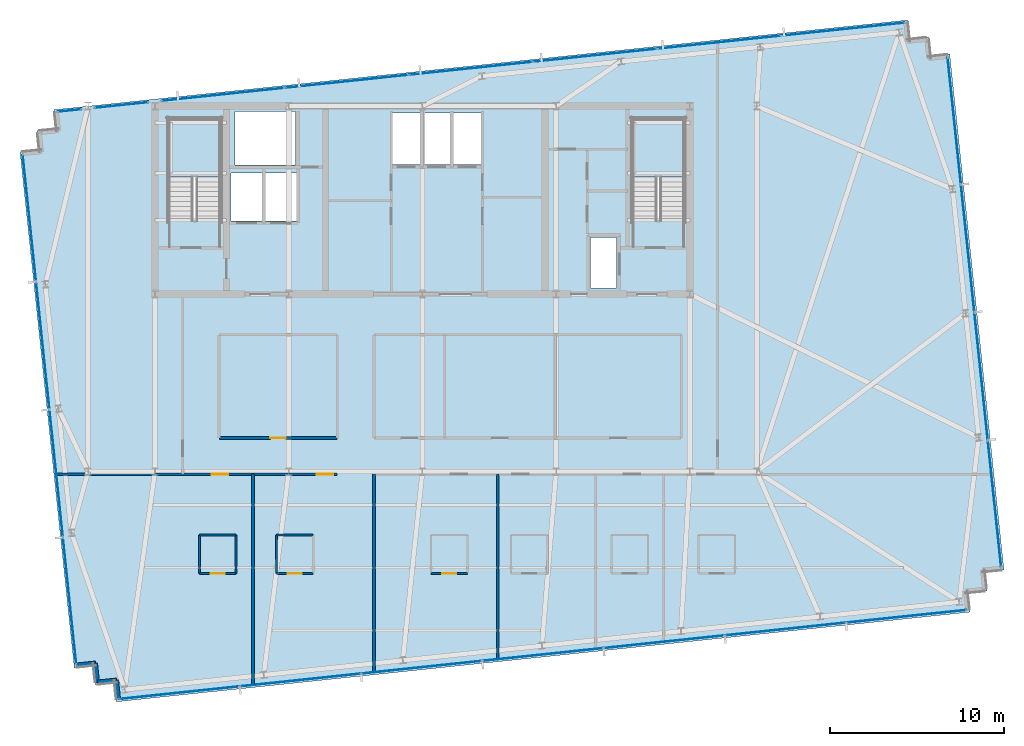
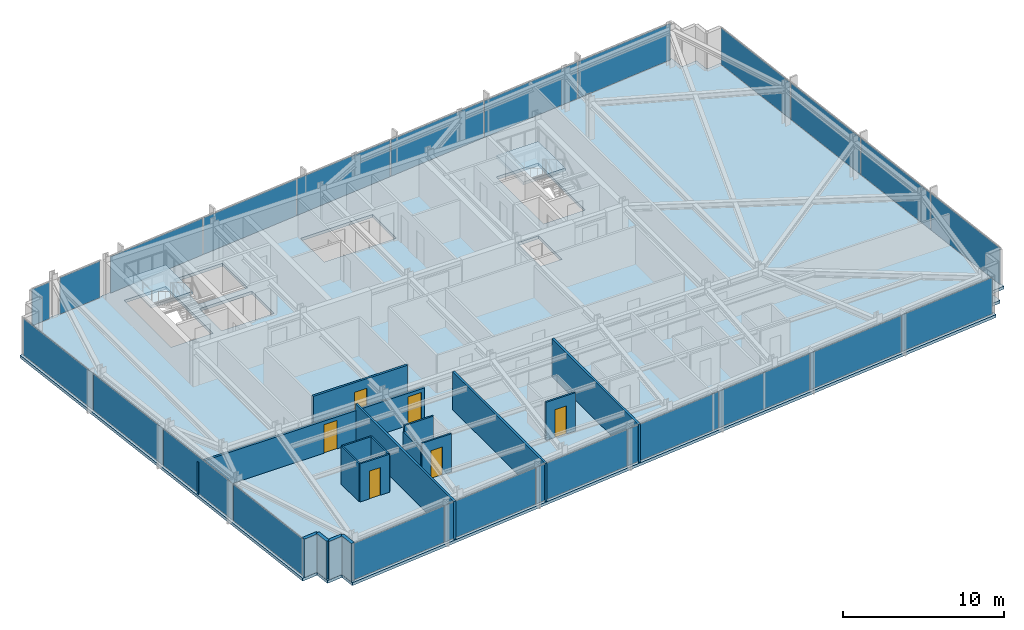
# One storey, part 26 of 33: 23 plates, 17 walls, 6 doors, 3 slabs, 6 openings, 8 elements without a shape of their own.
"""IFC4 building model written with IfcOpenShell, lengths in metres."""

import ifcopenshell
import ifcopenshell.guid

model = None  # the IFC model being written
_history = None  # IfcOwnerHistory: only IFC2X3 demands one
_inside = {}  # id of a spatial element -> (the spatial element, [elements in it])
_under = {}  # id of a project, library or spatial element -> (it, [spatial elements below it])
_declared = {}  # id of a project -> (the project, [libraries it declares])
_typed = {}  # id of a type object -> (the type object, [elements of that type])
_made_of = {}  # id of a material, layer set ... -> (it, [elements and type objects made of it])


def new_model(schema):
    """Start an empty IFC model of exactly this schema.

    Asked for "IFC4X3", IfcOpenShell would pick the latest addendum, in which some entities
    have other attributes; the version numbers below select the first issue.
    IFC2X3 requires an IfcOwnerHistory on every rooted entity: one is made here for all.
    """
    global model, _history
    if schema == "IFC4X3":
        model = ifcopenshell.file(schema_version=(4, 3, 0, 0))
    else:
        model = ifcopenshell.file(schema=schema)
    _inside.clear()
    _under.clear()
    _declared.clear()
    _typed.clear()
    _made_of.clear()
    _history = None
    if model.schema == "IFC2X3":
        org = make("IfcOrganization", Name="unknown")
        user = make(
            "IfcPersonAndOrganization",
            ThePerson=make("IfcPerson", FamilyName="unknown"),
            TheOrganization=org,
        )
        app = make(
            "IfcApplication",
            ApplicationDeveloper=org,
            Version="unknown",
            ApplicationFullName="unknown",
            ApplicationIdentifier="unknown",
        )
        _history = make(
            "IfcOwnerHistory",
            OwningUser=user,
            OwningApplication=app,
            ChangeAction="ADDED",
            CreationDate=0,
        )
    return model


def make(cls, **values):
    """One entity of the class cls with the attributes given. An attribute that is None is left unset."""
    return model.create_entity(
        cls, **{name: value for name, value in values.items() if value is not None}
    )


def rooted(cls, **values):
    """An entity with a GlobalId (a new one), such as an element, a storey or a relation."""
    return make(cls, GlobalId=ifcopenshell.guid.new(), OwnerHistory=_history, **values)


def si_unit(unit_type, name, prefix=None):
    """IfcSIUnit, for example si_unit("LENGTHUNIT", "METRE", prefix="MILLI")."""
    return make("IfcSIUnit", UnitType=unit_type, Prefix=prefix, Name=name)


def assignment(units):
    """IfcUnitAssignment: the units of a project."""
    return None if units is None else make("IfcUnitAssignment", Units=units)


def point(xyz):
    """IfcCartesianPoint."""
    return None if xyz is None else make("IfcCartesianPoint", Coordinates=xyz)


def direction(xyz):
    """IfcDirection."""
    return None if xyz is None else make("IfcDirection", DirectionRatios=xyz)


def frame(location, z_axis=None, x_axis=None):
    """IfcAxis2Placement3D, a coordinate frame: its origin and axes. An axis left out is left unset."""
    return make(
        "IfcAxis2Placement3D",
        Location=point(location),
        Axis=direction(z_axis),
        RefDirection=direction(x_axis),
    )


def frame_2d(location, x_axis=None):
    """IfcAxis2Placement2D, a coordinate frame in the plane: its origin and x axis."""
    return make(
        "IfcAxis2Placement2D", Location=point(location), RefDirection=direction(x_axis)
    )


def origin():
    """The frame at (0, 0, 0) with its axes left unset."""
    return frame((0.0, 0.0, 0.0))


def origin_2d():
    """The frame at (0, 0) in the plane with its x axis left unset."""
    return frame_2d((0.0, 0.0))


def place(relative_to, where):
    """IfcLocalPlacement: puts the frame where relative to a parent placement (None: the world)."""
    return make(
        "IfcLocalPlacement", PlacementRelTo=relative_to, RelativePlacement=where
    )


def context(
    kind, dimensions, precision=None, world=None, true_north=None, identifier=None
):
    """IfcGeometricRepresentationContext, for example the 3D "Model" context."""
    return make(
        "IfcGeometricRepresentationContext",
        ContextIdentifier=identifier,
        ContextType=kind,
        CoordinateSpaceDimension=dimensions,
        Precision=precision,
        WorldCoordinateSystem=world,
        TrueNorth=true_north,
    )


def subcontext(parent, identifier, kind, view, scale=None):
    """IfcGeometricRepresentationSubContext, for example "Body" below "Model"."""
    return make(
        "IfcGeometricRepresentationSubContext",
        ContextIdentifier=identifier,
        ContextType=kind,
        ParentContext=parent,
        TargetScale=scale,
        TargetView=view,
    )


def project(units=None, contexts=None):
    """IfcProject with its units and contexts."""
    return rooted(
        "IfcProject",
        Name="project",
        RepresentationContexts=contexts,
        UnitsInContext=assignment(units),
    )


def spatial(cls, under=None, at=None, **own):
    """A site, building, storey or space (cls), placed at a placement, below another one or the project."""
    s = rooted(cls, ObjectPlacement=at, **own)
    if under is not None:
        _under.setdefault(under.id(), (under, []))[1].append(s)
    return s


def polyline(points):
    """IfcPolyline through the points."""
    return make("IfcPolyline", Points=[point(p) for p in points])


def profile(cls, at=None, kind="AREA", **sizes):
    """A parametric profile (cls). Its sizes go by their IFC names, for example OverallWidth=200.0."""
    return make(cls, ProfileType=kind, Position=at, **sizes)


def rectangle(**sizes):
    """IfcRectangleProfileDef."""
    return profile("IfcRectangleProfileDef", **sizes)


def outline(outer, holes=None, kind="AREA"):
    """IfcArbitraryClosedProfileDef: a profile drawn as a closed curve; with holes, ...WithVoids."""
    if holes is None:
        return make("IfcArbitraryClosedProfileDef", ProfileType=kind, OuterCurve=outer)
    return make(
        "IfcArbitraryProfileDefWithVoids",
        ProfileType=kind,
        OuterCurve=outer,
        InnerCurves=holes,
    )


def extrude(swept, where, along, depth):
    """IfcExtrudedAreaSolid: the profile swept, set in the frame where, extruded along a direction by depth."""
    return make(
        "IfcExtrudedAreaSolid",
        SweptArea=swept,
        Position=where,
        ExtrudedDirection=direction(along),
        Depth=depth,
    )


def shape(context_of_items, identifier, shape_type, items):
    """IfcShapeRepresentation: the items that make up one representation, for example the "Body"."""
    return make(
        "IfcShapeRepresentation",
        ContextOfItems=context_of_items,
        RepresentationIdentifier=identifier,
        RepresentationType=shape_type,
        Items=items,
    )


def material(Name=None, Category=None):
    """IfcMaterial."""
    return make("IfcMaterial", Name=Name, Category=Category)


def layer(
    of_material, thickness, ventilated=None, Name=None, Category=None, Priority=None
):
    """IfcMaterialLayer: one layer of a wall or slab, of a material (None: an air gap)."""
    return make(
        "IfcMaterialLayer",
        Material=of_material,
        LayerThickness=thickness,
        IsVentilated=ventilated,
        Name=Name,
        Category=Category,
        Priority=Priority,
    )


def layer_set(layers, Name=None):
    """IfcMaterialLayerSet."""
    return make("IfcMaterialLayerSet", MaterialLayers=layers, LayerSetName=Name)


def made_of(thing, what):
    """Note that an element or type object is made of a material, layer set ...; save() writes the relation."""
    if what is not None:
        _made_of.setdefault(what.id(), (what, []))[1].append(thing)
    return thing


def type_object(cls, material=None, **own):
    """A type object (cls), such as IfcWallType, which elements share."""
    return made_of(rooted(cls, **own), material)


def element(
    cls,
    number,
    at=None,
    inside=None,
    cuts=None,
    type_object=None,
    material=None,
    context=None,
    identifier="Body",
    shape_type=None,
    held_by="IfcProductDefinitionShape",
    body=None,
    shapes=None,
    **own,
):
    """One element of the class cls, such as IfcWall. Its Tag is "e" and its number.

    at: its placement. inside: the storey or other place that contains it. cuts: it is an
    opening in that element (IfcRelVoidsElement). A single representation is given by context,
    identifier, shape_type and body (its items); several are given by shapes. held_by: the class
    of the entity that holds the representations. save() writes the other relations.
    """
    e = rooted(cls, Tag="e%d" % number, ObjectPlacement=at, **own)
    if body is not None:
        shapes = [shape(context, identifier, shape_type, body)]
    if shapes is not None:
        e.Representation = make(held_by, Representations=shapes)
    if inside is not None:
        _inside.setdefault(inside.id(), (inside, []))[1].append(e)
    if cuts is not None:
        rooted(
            "IfcRelVoidsElement", RelatingBuildingElement=cuts, RelatedOpeningElement=e
        )
    if type_object is not None:
        _typed.setdefault(type_object.id(), (type_object, []))[1].append(e)
    return made_of(e, material)


def fill(opening, filler):
    """IfcRelFillsElement: the door or window that sits in an opening."""
    return rooted(
        "IfcRelFillsElement",
        RelatingOpeningElement=opening,
        RelatedBuildingElement=filler,
    )


def aggregate(whole, parts):
    """IfcRelAggregates: a whole, such as a stair, and the parts it consists of."""
    return rooted("IfcRelAggregates", RelatingObject=whole, RelatedObjects=parts)


def save(model, path):
    """Write the relations noted so far, then the file.

    IfcRelAggregates (storeys below a building ...), IfcRelContainedInSpatialStructure (elements
    in a storey), IfcRelDefinesByType, IfcRelAssociatesMaterial and IfcRelDeclares: one each for
    every whole, place, type object, material and project.
    """
    for whole, parts in _under.values():
        aggregate(whole, parts)
    for where, things in _inside.values():
        rooted(
            "IfcRelContainedInSpatialStructure",
            RelatedElements=things,
            RelatingStructure=where,
        )
    for kind, things in _typed.values():
        rooted("IfcRelDefinesByType", RelatedObjects=things, RelatingType=kind)
    for what, things in _made_of.values():
        rooted("IfcRelAssociatesMaterial", RelatedObjects=things, RelatingMaterial=what)
    for by, libraries in _declared.values():
        rooted("IfcRelDeclares", RelatingContext=by, RelatedDefinitions=libraries)
    model.write(path)


model = new_model("IFC4")

# Units and contexts
model_context = context("Model", 3, precision=1e-05, world=origin(), true_north=direction((0.0, 1.0)))
body_context = subcontext(model_context, "Body", "Model", "MODEL_VIEW")
ifc_project = project(units=[si_unit("LENGTHUNIT", "METRE"), si_unit("AREAUNIT", "SQUARE_METRE"), si_unit("VOLUMEUNIT", "CUBIC_METRE"), si_unit("PLANEANGLEUNIT", "RADIAN"), si_unit("MASSUNIT", "GRAM", prefix="KILO")], contexts=[model_context])

# Site, building, storey
site_placement = place(None, origin())
site = spatial("IfcSite", under=ifc_project, at=site_placement, CompositionType="ELEMENT")
building_placement = place(site_placement, origin())
building = spatial("IfcBuilding", under=site, at=building_placement, Name="Yelkora Congress Tower", CompositionType="ELEMENT")
storey_placement = place(building_placement, frame((0.0, 0.0, 244.10009765625)))
storey = spatial("IfcBuildingStorey", under=building, at=storey_placement, Name="L68", CompositionType="ELEMENT", Elevation=244.10009765625)

# Curtain wall, plates
ifc_material_1 = material(Name="Anodised aluminium and insulated glass", Category="aluminium")
curtain_wall_type = type_object("IfcCurtainWallType", Name="CW-SYS-B4", PredefinedType="NOTDEFINED", material=ifc_material_1)
curtain_wall_1_placement = place(storey_placement, origin())
curtain_wall_1 = element("IfcCurtainWall", 1, at=curtain_wall_1_placement, inside=storey, type_object=curtain_wall_type, Name="L68 Unitised Curtain Wall 5", PredefinedType="NOTDEFINED")
ifc_material_2 = material(Name="Triple-silver diplomatic glass unit B4", Category="glass")
ifc_layer_1 = layer(ifc_material_2, 0.035888671875)
ifc_layer_set_1 = layer_set([ifc_layer_1], Name="Triple-silver diplomatic glass unit B4")
plate_type = type_object("IfcPlateType", Name="PLT-PN-B4", PredefinedType="CURTAIN_PANEL", material=ifc_layer_set_1)
plate_1_placement = place(storey_placement, frame((18.139404296875, 17.7724609375, 0.06005859375), z_axis=(0.0, 0.0, 1.0), x_axis=(-0.104526079034, 0.994522145958, 0.0)))
plate_1 = element("IfcPlate", 2, at=plate_1_placement, type_object=plate_type, Name="CW-B4 panel 1.1", PredefinedType="CURTAIN_PANEL", context=body_context, shape_type="SweptSolid", body=[
    extrude(rectangle(XDim=7.282470703125, YDim=0.035888671875, at=origin_2d()), origin(), (0.0, 0.0, 1.0), 2.760009765625),
])
plate_2_placement = place(storey_placement, frame((17.36962890625, 25.095703125, 0.06005859375), z_axis=(0.0, 0.0, 1.0), x_axis=(-0.104526079034, 0.994522145958, 0.0)))
plate_2 = element("IfcPlate", 3, at=plate_2_placement, type_object=plate_type, Name="CW-B4 panel 2.1", PredefinedType="CURTAIN_PANEL", context=body_context, shape_type="SweptSolid", body=[
    extrude(rectangle(XDim=7.31494140625, YDim=0.035888671875, at=origin_2d()), origin(), (0.0, 0.0, 1.0), 2.760009765625),
])
plate_3_placement = place(storey_placement, frame((16.59814453125, 32.435302734375, 0.06005859375), z_axis=(0.0, 0.0, 1.0), x_axis=(-0.104526079034, 0.994522145958, 0.0)))
plate_3 = element("IfcPlate", 4, at=plate_3_placement, type_object=plate_type, Name="CW-B4 panel 3.1", PredefinedType="CURTAIN_PANEL", context=body_context, shape_type="SweptSolid", body=[
    extrude(rectangle(XDim=7.31494140625, YDim=0.035888671875, at=origin_2d()), origin(), (0.0, 0.0, 1.0), 2.760009765625),
])
plate_4_placement = place(storey_placement, frame((15.82861328125, 39.7587890625, 0.06005859375), z_axis=(0.0, 0.0, 1.0), x_axis=(-0.104526079034, 0.994522145958, 0.0)))
plate_4 = element("IfcPlate", 5, at=plate_4_placement, type_object=plate_type, Name="CW-B4 panel 4.1", PredefinedType="CURTAIN_PANEL", context=body_context, shape_type="SweptSolid", body=[
    extrude(rectangle(XDim=7.282470703125, YDim=0.035888671875, at=origin_2d()), origin(), (0.0, 0.0, 1.0), 2.760009765625),
])
aggregate(curtain_wall_1, [plate_1, plate_2, plate_3, plate_4])

# Curtain wall, plate
curtain_wall_2_placement = place(storey_placement, origin())
curtain_wall_2 = element("IfcCurtainWall", 6, at=curtain_wall_2_placement, inside=storey, type_object=curtain_wall_type, Name="L68 Unitised Curtain Wall 10 (1)", PredefinedType="NOTDEFINED")
plate_5_placement = place(storey_placement, frame((18.136474609375, 45.940185546875, 0.06005859375), z_axis=(0.0, 0.0, 1.0), x_axis=(0.994523910137, 0.104509292244, 0.0)))
plate_5 = element("IfcPlate", 7, at=plate_5_placement, type_object=plate_type, Name="CW-B4 panel 1.1", PredefinedType="CURTAIN_PANEL", context=body_context, shape_type="SweptSolid", body=[
    extrude(rectangle(XDim=1.35302734375, YDim=0.035888671875, at=origin_2d()), origin(), (0.0, 0.0, 1.0), 2.760009765625),
])
aggregate(curtain_wall_2, [plate_5])

curtain_wall_3_placement = place(storey_placement, origin())
curtain_wall_3 = element("IfcCurtainWall", 8, at=curtain_wall_3_placement, inside=storey, type_object=curtain_wall_type, Name="L68 Unitised Curtain Wall 10 (2)", PredefinedType="NOTDEFINED")
plate_6_placement = place(storey_placement, frame((21.1201171875, 46.253662109375, 0.06005859375), z_axis=(0.0, 0.0, 1.0), x_axis=(0.994524239868, 0.104506154437, 0.0)))
plate_6 = element("IfcPlate", 9, at=plate_6_placement, type_object=plate_type, Name="CW-B4 panel 1.1", PredefinedType="CURTAIN_PANEL", context=body_context, shape_type="SweptSolid", body=[
    extrude(rectangle(XDim=3.075439453125, YDim=0.035888671875, at=origin_2d()), origin(), (0.0, 0.0, 1.0), 2.760009765625),
])
aggregate(curtain_wall_3, [plate_6])

# Curtain wall, plates
curtain_wall_4_placement = place(storey_placement, origin())
curtain_wall_4 = element("IfcCurtainWall", 10, at=curtain_wall_4_placement, inside=storey, type_object=curtain_wall_type, Name="L68 Unitised Curtain Wall 10 (3)", PredefinedType="NOTDEFINED")
plate_7_placement = place(storey_placement, frame((26.947509765625, 46.8662109375, 0.06005859375), z_axis=(0.0, 0.0, 1.0), x_axis=(0.994521973066, 0.104527724021, 0.0)))
plate_7 = element("IfcPlate", 11, at=plate_7_placement, type_object=plate_type, Name="CW-B4 panel 1.1", PredefinedType="CURTAIN_PANEL", context=body_context, shape_type="SweptSolid", body=[
    extrude(rectangle(XDim=7.072509765625, YDim=0.035888671875, at=origin_2d()), origin(), (0.0, 0.0, 1.0), 2.760009765625),
])
plate_8_placement = place(storey_placement, frame((34.06201171875, 47.614013671875, 0.06005859375), z_axis=(0.0, 0.0, 1.0), x_axis=(0.994521973066, 0.104527724021, 0.0)))
plate_8 = element("IfcPlate", 12, at=plate_8_placement, type_object=plate_type, Name="CW-B4 panel 2.1", PredefinedType="CURTAIN_PANEL", context=body_context, shape_type="SweptSolid", body=[
    extrude(rectangle(XDim=7.10498046875, YDim=0.035888671875, at=origin_2d()), origin(), (0.0, 0.0, 1.0), 2.760009765625),
])
plate_9_placement = place(storey_placement, frame((41.19287109375, 48.363525390625, 0.06005859375), z_axis=(0.0, 0.0, 1.0), x_axis=(0.994521973066, 0.104527724021, 0.0)))
plate_9 = element("IfcPlate", 13, at=plate_9_placement, type_object=plate_type, Name="CW-B4 panel 3.1", PredefinedType="CURTAIN_PANEL", context=body_context, shape_type="SweptSolid", body=[
    extrude(rectangle(XDim=7.10498046875, YDim=0.035888671875, at=origin_2d()), origin(), (0.0, 0.0, 1.0), 2.760009765625),
])
plate_10_placement = place(storey_placement, frame((48.32373046875, 49.113037109375, 0.06005859375), z_axis=(0.0, 0.0, 1.0), x_axis=(0.994521973066, 0.104527724021, 0.0)))
plate_10 = element("IfcPlate", 14, at=plate_10_placement, type_object=plate_type, Name="CW-B4 panel 4.1", PredefinedType="CURTAIN_PANEL", context=body_context, shape_type="SweptSolid", body=[
    extrude(rectangle(XDim=7.10498046875, YDim=0.035888671875, at=origin_2d()), origin(), (0.0, 0.0, 1.0), 2.760009765625),
])
plate_11_placement = place(storey_placement, frame((55.454345703125, 49.8623046875, 0.06005859375), z_axis=(0.0, 0.0, 1.0), x_axis=(0.994521973066, 0.104527724021, 0.0)))
plate_11 = element("IfcPlate", 15, at=plate_11_placement, type_object=plate_type, Name="CW-B4 panel 5.1", PredefinedType="CURTAIN_PANEL", context=body_context, shape_type="SweptSolid", body=[
    extrude(rectangle(XDim=7.10498046875, YDim=0.035888671875, at=origin_2d()), origin(), (0.0, 0.0, 1.0), 2.760009765625),
])
plate_12_placement = place(storey_placement, frame((62.56884765625, 50.610107421875, 0.06005859375), z_axis=(0.0, 0.0, 1.0), x_axis=(0.994521973066, 0.104527724021, 0.0)))
plate_12 = element("IfcPlate", 16, at=plate_12_placement, type_object=plate_type, Name="CW-B4 panel 6.1", PredefinedType="CURTAIN_PANEL", context=body_context, shape_type="SweptSolid", body=[
    extrude(rectangle(XDim=7.072509765625, YDim=0.035888671875, at=origin_2d()), origin(), (0.0, 0.0, 1.0), 2.760009765625),
])
aggregate(curtain_wall_4, [plate_7, plate_8, plate_9, plate_10, plate_11, plate_12])

curtain_wall_5_placement = place(storey_placement, origin())
curtain_wall_5 = element("IfcCurtainWall", 17, at=curtain_wall_5_placement, inside=storey, type_object=curtain_wall_type, Name="L68 Unitised Curtain Wall 15", PredefinedType="NOTDEFINED")
plate_13_placement = place(storey_placement, frame((68.955810546875, 45.3427734375, 0.06005859375), z_axis=(0.0, 0.0, 1.0), x_axis=(0.104525726898, -0.994522182968, 0.0)))
plate_13 = element("IfcPlate", 18, at=plate_13_placement, type_object=plate_type, Name="CW-B4 panel 1.1", PredefinedType="CURTAIN_PANEL", context=body_context, shape_type="SweptSolid", body=[
    extrude(rectangle(XDim=7.282470703125, YDim=0.035888671875, at=origin_2d()), origin(), (0.0, 0.0, 1.0), 2.760009765625),
])
plate_14_placement = place(storey_placement, frame((69.7255859375, 38.019287109375, 0.06005859375), z_axis=(0.0, 0.0, 1.0), x_axis=(0.104525726898, -0.994522182968, 0.0)))
plate_14 = element("IfcPlate", 19, at=plate_14_placement, type_object=plate_type, Name="CW-B4 panel 2.1", PredefinedType="CURTAIN_PANEL", context=body_context, shape_type="SweptSolid", body=[
    extrude(rectangle(XDim=7.31494140625, YDim=0.035888671875, at=origin_2d()), origin(), (0.0, 0.0, 1.0), 2.760009765625),
])
plate_15_placement = place(storey_placement, frame((70.496826171875, 30.6796875, 0.06005859375), z_axis=(0.0, 0.0, 1.0), x_axis=(0.104525726898, -0.994522182968, 0.0)))
plate_15 = element("IfcPlate", 20, at=plate_15_placement, type_object=plate_type, Name="CW-B4 panel 3.1", PredefinedType="CURTAIN_PANEL", context=body_context, shape_type="SweptSolid", body=[
    extrude(rectangle(XDim=7.31494140625, YDim=0.035888671875, at=origin_2d()), origin(), (0.0, 0.0, 1.0), 2.760009765625),
])
plate_16_placement = place(storey_placement, frame((71.2666015625, 23.356201171875, 0.06005859375), z_axis=(0.0, 0.0, 1.0), x_axis=(0.104525726898, -0.994522182968, 0.0)))
plate_16 = element("IfcPlate", 21, at=plate_16_placement, type_object=plate_type, Name="CW-B4 panel 4.1", PredefinedType="CURTAIN_PANEL", context=body_context, shape_type="SweptSolid", body=[
    extrude(rectangle(XDim=7.282470703125, YDim=0.035888671875, at=origin_2d()), origin(), (0.0, 0.0, 1.0), 2.760009765625),
])
aggregate(curtain_wall_5, [plate_13, plate_14, plate_15, plate_16])

curtain_wall_6_placement = place(storey_placement, origin())
curtain_wall_6 = element("IfcCurtainWall", 22, at=curtain_wall_6_placement, inside=storey, type_object=curtain_wall_type, Name="L68 Unitised Curtain Wall 20", PredefinedType="NOTDEFINED")
plate_17_placement = place(storey_placement, frame((66.19775390625, 16.884765625, 0.06005859375), z_axis=(0.0, 0.0, 1.0), x_axis=(-0.994522084373, -0.104526664994, 0.0)))
plate_17 = element("IfcPlate", 23, at=plate_17_placement, type_object=plate_type, Name="CW-B4 panel 1.1", PredefinedType="CURTAIN_PANEL", context=body_context, shape_type="SweptSolid", body=[
    extrude(rectangle(XDim=6.9052734375, YDim=0.035888671875, at=origin_2d()), origin(), (0.0, 0.0, 1.0), 2.760009765625),
])
plate_18_placement = place(storey_placement, frame((59.249267578125, 16.154541015625, 0.06005859375), z_axis=(0.0, 0.0, 1.0), x_axis=(-0.994522084373, -0.104526664994, 0.0)))
plate_18 = element("IfcPlate", 24, at=plate_18_placement, type_object=plate_type, Name="CW-B4 panel 2.1", PredefinedType="CURTAIN_PANEL", context=body_context, shape_type="SweptSolid", body=[
    extrude(rectangle(XDim=6.937744140625, YDim=0.035888671875, at=origin_2d()), origin(), (0.0, 0.0, 1.0), 2.760009765625),
])
plate_19_placement = place(storey_placement, frame((52.284912109375, 15.42236328125, 0.06005859375), z_axis=(0.0, 0.0, 1.0), x_axis=(-0.994522084373, -0.104526664994, 0.0)))
plate_19 = element("IfcPlate", 25, at=plate_19_placement, type_object=plate_type, Name="CW-B4 panel 3.1", PredefinedType="CURTAIN_PANEL", context=body_context, shape_type="SweptSolid", body=[
    extrude(rectangle(XDim=6.937744140625, YDim=0.035888671875, at=origin_2d()), origin(), (0.0, 0.0, 1.0), 2.760009765625),
])
plate_20_placement = place(storey_placement, frame((45.3203125, 14.6904296875, 0.06005859375), z_axis=(0.0, 0.0, 1.0), x_axis=(-0.994522084373, -0.104526664994, 0.0)))
plate_20 = element("IfcPlate", 26, at=plate_20_placement, type_object=plate_type, Name="CW-B4 panel 4.1", PredefinedType="CURTAIN_PANEL", context=body_context, shape_type="SweptSolid", body=[
    extrude(rectangle(XDim=6.937744140625, YDim=0.035888671875, at=origin_2d()), origin(), (0.0, 0.0, 1.0), 2.760009765625),
])
plate_21_placement = place(storey_placement, frame((38.35595703125, 13.95849609375, 0.06005859375), z_axis=(0.0, 0.0, 1.0), x_axis=(-0.994522084373, -0.104526664994, 0.0)))
plate_21 = element("IfcPlate", 27, at=plate_21_placement, type_object=plate_type, Name="CW-B4 panel 5.1", PredefinedType="CURTAIN_PANEL", context=body_context, shape_type="SweptSolid", body=[
    extrude(rectangle(XDim=6.937744140625, YDim=0.035888671875, at=origin_2d()), origin(), (0.0, 0.0, 1.0), 2.760009765625),
])
plate_22_placement = place(storey_placement, frame((31.391357421875, 13.2265625, 0.06005859375), z_axis=(0.0, 0.0, 1.0), x_axis=(-0.994522084373, -0.104526664994, 0.0)))
plate_22 = element("IfcPlate", 28, at=plate_22_placement, type_object=plate_type, Name="CW-B4 panel 6.1", PredefinedType="CURTAIN_PANEL", context=body_context, shape_type="SweptSolid", body=[
    extrude(rectangle(XDim=6.937744140625, YDim=0.035888671875, at=origin_2d()), origin(), (0.0, 0.0, 1.0), 2.760009765625),
])
plate_23_placement = place(storey_placement, frame((24.443115234375, 12.49609375, 0.06005859375), z_axis=(0.0, 0.0, 1.0), x_axis=(-0.994522084373, -0.104526664994, 0.0)))
plate_23 = element("IfcPlate", 29, at=plate_23_placement, type_object=plate_type, Name="CW-B4 panel 7.1", PredefinedType="CURTAIN_PANEL", context=body_context, shape_type="SweptSolid", body=[
    extrude(rectangle(XDim=6.9052734375, YDim=0.035888671875, at=origin_2d()), origin(), (0.0, 0.0, 1.0), 2.760009765625),
])
aggregate(curtain_wall_6, [plate_17, plate_18, plate_19, plate_20, plate_21, plate_22, plate_23])

# Stair, slab
ifc_material_3 = material(Name="Concrete C40/50", Category="concrete")
stair_type = type_object("IfcStairType", Name="STAIR-HT-1420-R20-165", PredefinedType="HALF_TURN_STAIR", material=ifc_material_3)
stair_1_placement = place(storey_placement, origin())
stair_1 = element("IfcStair", 30, at=stair_1_placement, inside=storey, type_object=stair_type, Name="West Core Protected Exit Stair ST-01 (L68)", PredefinedType="HALF_TURN_STAIR")
ifc_layer_2 = layer(ifc_material_3, 0.219970703125)
ifc_layer_set_2 = layer_set([ifc_layer_2], Name="Concrete C40/50")
slab_type_1 = type_object("IfcSlabType", Name="SLAB-LANDING-220", PredefinedType="LANDING", material=ifc_layer_set_2)
slab_1_placement = place(storey_placement, frame((0.0, 0.0, 1.429931640625)))
slab_1 = element("IfcSlab", 31, at=slab_1_placement, type_object=slab_type_1, Name="ST-01 L68 Half Landing 1", PredefinedType="LANDING", context=body_context, shape_type="SweptSolid", body=[
    extrude(outline(polyline([(26.820068359375, 42.1201171875), (26.820068359375, 45.469970703125), (23.820068359375, 45.469970703125), (23.820068359375, 42.1201171875), (26.820068359375, 42.1201171875)])), origin(), (0.0, 0.0, 1.0), 0.219970703125),
])
aggregate(stair_1, [slab_1])

stair_2_placement = place(storey_placement, origin())
stair_2 = element("IfcStair", 32, at=stair_2_placement, inside=storey, type_object=stair_type, Name="East Core Protected Exit Stair ST-02 (L68)", PredefinedType="HALF_TURN_STAIR")
slab_2_placement = place(storey_placement, frame((0.0, 0.0, 1.429931640625)))
slab_2 = element("IfcSlab", 33, at=slab_2_placement, type_object=slab_type_1, Name="ST-02 L68 Half Landing 1", PredefinedType="LANDING", context=body_context, shape_type="SweptSolid", body=[
    extrude(outline(polyline([(53.4599609375, 42.1201171875), (53.4599609375, 45.469970703125), (50.4599609375, 45.469970703125), (50.4599609375, 42.1201171875), (53.4599609375, 42.1201171875)])), origin(), (0.0, 0.0, 1.0), 0.219970703125),
])
aggregate(stair_2, [slab_2])

# Slab
ifc_layer_3 = layer(ifc_material_3, 0.219970703125)
ifc_layer_set_3 = layer_set([ifc_layer_3], Name="Concrete C40/50")
slab_type_2 = type_object("IfcSlabType", Name="SLAB-TWR-220", PredefinedType="FLOOR", material=ifc_layer_set_3)
slab_3_placement = place(storey_placement, frame((0.0, 0.0, -0.22021484375)))
element("IfcSlab", 34, at=slab_3_placement, inside=storey, type_object=slab_type_2, Name="L68 Structural Floor Slab", PredefinedType="FLOOR", context=body_context, shape_type="SweptSolid", body=[
    extrude(outline(polyline([(20.820068359375, 11.974609375), (69.85009765625, 17.127685546875), (69.735107421875, 18.2216796875), (70.828857421875, 18.3369140625), (70.714111328125, 19.430908203125), (71.807861328125, 19.545654296875), (68.693115234375, 49.1826171875), (67.59912109375, 49.0673828125), (67.48388671875, 50.16162109375), (66.39013671875, 50.04638671875), (66.275146484375, 51.140380859375), (17.2451171875, 45.9873046875), (17.360107421875, 44.893310546875), (16.26611328125, 44.7783203125), (16.381103515625, 43.684326171875), (15.287109375, 43.5693359375), (18.402099609375, 13.9326171875), (19.49609375, 14.047607421875), (19.611083984375, 12.95361328125), (20.705078125, 13.068603515625), (20.820068359375, 11.974609375)]), holes=[polyline([(23.820068359375, 39.6298828125), (26.820068359375, 39.6298828125), (26.820068359375, 45.469970703125), (23.820068359375, 45.469970703125), (23.820068359375, 39.6298828125)]), polyline([(50.4599609375, 39.6298828125), (53.4599609375, 39.6298828125), (53.4599609375, 45.469970703125), (50.4599609375, 45.469970703125), (50.4599609375, 39.6298828125)]), polyline([(48.050048828125, 35.75), (49.550048828125, 35.75), (49.550048828125, 38.64990234375), (48.050048828125, 38.64990234375), (48.050048828125, 35.75)]), polyline([(36.64990234375, 42.85009765625), (41.800048828125, 42.85009765625), (41.800048828125, 45.800048828125), (36.64990234375, 45.800048828125), (36.64990234375, 42.85009765625)]), polyline([(27.419921875, 39.60009765625), (31.179931640625, 39.60009765625), (31.179931640625, 42.35009765625), (27.419921875, 42.35009765625), (27.419921875, 39.60009765625)]), polyline([(27.64990234375, 42.820068359375), (31.1201171875, 42.820068359375), (31.1201171875, 45.8798828125), (27.64990234375, 45.8798828125), (27.64990234375, 42.820068359375)])]), origin(), (0.0, 0.0, 1.0), 0.22021484375),
])

# Walls
ifc_layer_4 = layer(ifc_material_3, 0.239990234375)
ifc_layer_set_4 = layer_set([ifc_layer_4], Name="Concrete C40/50")
wall_type_1 = type_object("IfcWallType", Name="WALL-EXT-LIMESTONE-240", PredefinedType="SOLIDWALL", material=ifc_layer_set_4)
for number, where, z_axis, x_axis, name in (
    (35, (20.944580078125, 12.12841796875, 0.0), (0.0, 0.0, 1.0), (-0.104534592565, 0.994521251134, 0.0), "L68 Serrated Corner Limestone Pier 1"),
    (36, (20.82958984375, 13.222412109375, 0.0), (0.0, 0.0, 1.0), (-0.994521251134, -0.104534592565, 0.0), "L68 Serrated Corner Limestone Pier 2"),
    (37, (19.735595703125, 13.107421875, 0.0), (0.0, 0.0, 1.0), (-0.104534592565, 0.994521251134, 0.0), "L68 Serrated Corner Limestone Pier 3"),
    (38, (19.62060546875, 14.201416015625, 0.0), (0.0, 0.0, 1.0), (-0.994521251134, -0.104534592565, 0.0), "L68 Serrated Corner Limestone Pier 4"),
):
    element("IfcWall", number, at=place(storey_placement, frame(where, z_axis=z_axis, x_axis=x_axis)), inside=storey, type_object=wall_type_1, Name=name, PredefinedType="SOLIDWALL", context=body_context, shape_type="SweptSolid", body=[
        extrude(rectangle(XDim=1.10009765625, YDim=0.239990234375, at=frame_2d((0.550048828125, 0.0))), origin(), (0.0, 0.0, 1.0), 2.8798828125),
    ])
ifc_material_4 = material(Name="Moisture-resistant gypsum partition", Category="gypsum")
ifc_layer_5 = layer(ifc_material_4, 0.1201171875)
ifc_layer_set_5 = layer_set([ifc_layer_5], Name="Moisture-resistant gypsum partition")
wall_type_2 = type_object("IfcWallType", Name="WALL-INT-120-NR", PredefinedType="PARTITIONING", material=ifc_layer_set_5)
wall_1_placement = place(storey_placement, frame((25.60498046875, 21.550048828125, 0.0), z_axis=(0.0, 0.0, 1.0), x_axis=(1.0, 0.0, 0.0)))
element("IfcWall", 39, at=wall_1_placement, inside=storey, type_object=wall_type_2, Name="L68 Partition Wall 23", PredefinedType="PARTITIONING", context=body_context, shape_type="SweptSolid", body=[
    extrude(rectangle(XDim=2.10009765625, YDim=0.1201171875, at=frame_2d((1.050048828125, 0.0))), origin(), (0.0, 0.0, 1.0), 2.8798828125),
])
for number, where, z_axis, x_axis, name in (
    (40, (25.60498046875, 19.35009765625, 0.0), (0.0, 0.0, 1.0), (0.0, 1.0, 0.0), "L68 Partition Wall 24"),
    (41, (27.705078125, 19.35009765625, 0.0), (0.0, 0.0, 1.0), (0.0, 1.0, 0.0), "L68 Partition Wall 25"),
):
    element("IfcWall", number, at=place(storey_placement, frame(where, z_axis=z_axis, x_axis=x_axis)), inside=storey, type_object=wall_type_2, Name=name, PredefinedType="PARTITIONING", context=body_context, shape_type="SweptSolid", body=[
        extrude(rectangle(XDim=2.199951171875, YDim=0.1201171875, at=frame_2d((1.10009765625, 0.0))), origin(), (0.0, 0.0, 1.0), 2.8798828125),
    ])

# Wall, opening, door
wall_2_placement = place(storey_placement, frame((25.60498046875, 19.35009765625, 0.0), z_axis=(0.0, 0.0, 1.0), x_axis=(1.0, 0.0, 0.0)))
wall_2 = element("IfcWall", 42, at=wall_2_placement, inside=storey, type_object=wall_type_2, Name="L68 Partition Wall 26", PredefinedType="PARTITIONING", context=body_context, shape_type="SweptSolid", body=[
    extrude(rectangle(XDim=2.10009765625, YDim=0.1201171875, at=frame_2d((1.050048828125, 0.0))), origin(), (0.0, 0.0, 1.0), 2.8798828125),
])
opening_1_placement = place(wall_2_placement, frame((0.64990234375, 0.0, 0.0)))
opening_1 = element("IfcOpeningElement", 43, at=opening_1_placement, cuts=wall_2, Name="Opening DR-080B", PredefinedType="OPENING", context=body_context, shape_type="SweptSolid", body=[
    extrude(rectangle(XDim=0.800048828125, YDim=2.10009765625, at=frame_2d((0.39990234375, 1.050048828125))), frame((0.0, 0.070068359375, 0.0), z_axis=(0.0, -1.0, 0.0), x_axis=(1.0, 0.0, 0.0)), (0.0, 0.0, 1.0), 0.14013671875),
])
ifc_material_5 = material(Name="Moisture-sealed en-suite timber door", Category="wood")
door_type_1 = type_object("IfcDoorType", Name="DOOR-BATH-800", OperationType="NOTDEFINED", PredefinedType="DOOR", material=ifc_material_5)
door_1_placement = place(opening_1_placement, origin())
door_1 = element("IfcDoor", 44, at=door_1_placement, inside=storey, type_object=door_type_1, Name="L68 En-suite Door 1", OperationType="SINGLE_SWING_RIGHT", OverallHeight=2.10009765625, OverallWidth=0.800048828125, PredefinedType="DOOR", context=body_context, shape_type="SweptSolid", body=[
    extrude(rectangle(XDim=0.800048828125, YDim=2.10009765625, at=frame_2d((0.39990234375, 1.050048828125))), frame((0.0, 0.02490234375, 0.0), z_axis=(0.0, -1.0, 0.0), x_axis=(1.0, 0.0, 0.0)), (0.0, 0.0, 1.0), 0.050048828125),
])
fill(opening_1, door_1)

# Walls
wall_3_placement = place(storey_placement, frame((30.030029296875, 21.550048828125, 0.0), z_axis=(0.0, 0.0, 1.0), x_axis=(1.0, 0.0, 0.0)))
element("IfcWall", 45, at=wall_3_placement, inside=storey, type_object=wall_type_2, Name="L68 Partition Wall 27", PredefinedType="PARTITIONING", context=body_context, shape_type="SweptSolid", body=[
    extrude(rectangle(XDim=2.099853515625, YDim=0.1201171875, at=frame_2d((1.0498046875, 0.0))), origin(), (0.0, 0.0, 1.0), 2.8798828125),
])
wall_4_placement = place(storey_placement, frame((30.030029296875, 19.35009765625, 0.0), z_axis=(0.0, 0.0, 1.0), x_axis=(0.0, 1.0, 0.0)))
element("IfcWall", 46, at=wall_4_placement, inside=storey, type_object=wall_type_2, Name="L68 Partition Wall 28", PredefinedType="PARTITIONING", context=body_context, shape_type="SweptSolid", body=[
    extrude(rectangle(XDim=2.199951171875, YDim=0.1201171875, at=frame_2d((1.10009765625, 0.0))), origin(), (0.0, 0.0, 1.0), 2.4248046875),
])

# Wall, opening, door
wall_5_placement = place(storey_placement, frame((30.030029296875, 19.35009765625, 0.0), z_axis=(0.0, 0.0, 1.0), x_axis=(1.0, 0.0, 0.0)))
wall_5 = element("IfcWall", 47, at=wall_5_placement, inside=storey, type_object=wall_type_2, Name="L68 Partition Wall 30", PredefinedType="PARTITIONING", context=body_context, shape_type="SweptSolid", body=[
    extrude(rectangle(XDim=2.099853515625, YDim=0.1201171875, at=frame_2d((1.0498046875, 0.0))), origin(), (0.0, 0.0, 1.0), 2.8798828125),
])
opening_2_placement = place(wall_5_placement, frame((0.64990234375, 0.0, 0.0)))
opening_2 = element("IfcOpeningElement", 48, at=opening_2_placement, cuts=wall_5, Name="Opening DR-080B", PredefinedType="OPENING", context=body_context, shape_type="SweptSolid", body=[
    extrude(rectangle(XDim=0.800048828125, YDim=2.10009765625, at=frame_2d((0.39990234375, 1.050048828125))), frame((0.0, 0.070068359375, 0.0), z_axis=(0.0, -1.0, 0.0), x_axis=(1.0, 0.0, 0.0)), (0.0, 0.0, 1.0), 0.14013671875),
])
door_2_placement = place(opening_2_placement, origin())
door_2 = element("IfcDoor", 49, at=door_2_placement, inside=storey, type_object=door_type_1, Name="L68 En-suite Door 2", OperationType="SINGLE_SWING_LEFT", OverallHeight=2.10009765625, OverallWidth=0.800048828125, PredefinedType="DOOR", context=body_context, shape_type="SweptSolid", body=[
    extrude(rectangle(XDim=0.800048828125, YDim=2.10009765625, at=frame_2d((0.39990234375, 1.050048828125))), frame((0.0, 0.02490234375, 0.0), z_axis=(0.0, -1.0, 0.0), x_axis=(1.0, 0.0, 0.0)), (0.0, 0.0, 1.0), 0.050048828125),
])
fill(opening_2, door_2)

wall_6_placement = place(storey_placement, frame((38.89990234375, 19.35009765625, 0.0), z_axis=(0.0, 0.0, 1.0), x_axis=(1.0, 0.0, 0.0)))
wall_6 = element("IfcWall", 50, at=wall_6_placement, inside=storey, type_object=wall_type_2, Name="L68 Partition Wall 35", PredefinedType="PARTITIONING", context=body_context, shape_type="SweptSolid", body=[
    extrude(rectangle(XDim=2.10009765625, YDim=0.1201171875, at=frame_2d((1.050048828125, 0.0))), origin(), (0.0, 0.0, 1.0), 2.8798828125),
])
opening_3_placement = place(wall_6_placement, frame((0.64990234375, 0.0, 0.0)))
opening_3 = element("IfcOpeningElement", 51, at=opening_3_placement, cuts=wall_6, Name="Opening DR-080B", PredefinedType="OPENING", context=body_context, shape_type="SweptSolid", body=[
    extrude(rectangle(XDim=0.800048828125, YDim=2.10009765625, at=frame_2d((0.39990234375, 1.050048828125))), frame((0.0, 0.070068359375, 0.0), z_axis=(0.0, -1.0, 0.0), x_axis=(1.0, 0.0, 0.0)), (0.0, 0.0, 1.0), 0.14013671875),
])
door_3_placement = place(opening_3_placement, origin())
door_3 = element("IfcDoor", 52, at=door_3_placement, inside=storey, type_object=door_type_1, Name="L68 En-suite Door 4", OperationType="SINGLE_SWING_RIGHT", OverallHeight=2.10009765625, OverallWidth=0.800048828125, PredefinedType="DOOR", context=body_context, shape_type="SweptSolid", body=[
    extrude(rectangle(XDim=0.800048828125, YDim=2.10009765625, at=frame_2d((0.39990234375, 1.050048828125))), frame((0.0, 0.02490234375, 0.0), z_axis=(0.0, -1.0, 0.0), x_axis=(1.0, 0.0, 0.0)), (0.0, 0.0, 1.0), 0.050048828125),
])
fill(opening_3, door_3)

ifc_material_6 = material(Name="Acoustic metal-stud gypsum partition", Category="gypsum")
ifc_layer_6 = layer(ifc_material_6, 0.14990234375)
ifc_layer_set_6 = layer_set([ifc_layer_6], Name="Acoustic metal-stud gypsum partition")
wall_type_3 = type_object("IfcWallType", Name="WALL-INT-150-NR", PredefinedType="PARTITIONING", material=ifc_layer_set_6)
wall_7_placement = place(storey_placement, frame((26.739990234375, 27.1298828125, 0.0), z_axis=(0.0, 0.0, 1.0), x_axis=(1.0, 0.0, 0.0)))
wall_7 = element("IfcWall", 53, at=wall_7_placement, inside=storey, type_object=wall_type_3, Name="L68 Partition Wall 62", PredefinedType="PARTITIONING", context=body_context, shape_type="SweptSolid", body=[
    extrude(rectangle(XDim=6.75, YDim=0.14990234375, at=frame_2d((3.375, 0.0))), origin(), (0.0, 0.0, 1.0), 2.8798828125),
])
opening_4_placement = place(wall_7_placement, frame((2.925048828125, 0.0, 0.0)))
opening_4 = element("IfcOpeningElement", 54, at=opening_4_placement, cuts=wall_7, Name="Opening DR-090N", PredefinedType="OPENING", context=body_context, shape_type="SweptSolid", body=[
    extrude(rectangle(XDim=0.89990234375, YDim=2.14990234375, at=frame_2d((0.449951171875, 1.074951171875))), frame((0.0, 0.0849609375, 0.0), z_axis=(0.0, -1.0, 0.0), x_axis=(1.0, 0.0, 0.0)), (0.0, 0.0, 1.0), 0.169921875),
])
ifc_material_7 = material(Name="Moisture-resistant laminate door leaf", Category="wood")
door_type_2 = type_object("IfcDoorType", Name="DOOR-INT-900", OperationType="NOTDEFINED", PredefinedType="DOOR", material=ifc_material_7)
door_4_placement = place(opening_4_placement, origin())
door_4 = element("IfcDoor", 55, at=door_4_placement, inside=storey, type_object=door_type_2, Name="L68 Housekeeping & Linen Room Door", OperationType="SINGLE_SWING_RIGHT", OverallHeight=2.14990234375, OverallWidth=0.89990234375, PredefinedType="DOOR", context=body_context, shape_type="SweptSolid", body=[
    extrude(rectangle(XDim=0.89990234375, YDim=2.14990234375, at=frame_2d((0.449951171875, 1.074951171875))), frame((0.0, 0.02490234375, 0.0), z_axis=(0.0, -1.0, 0.0), x_axis=(1.0, 0.0, 0.0)), (0.0, 0.0, 1.0), 0.050048828125),
])
fill(opening_4, door_4)

# Walls
ifc_material_8 = material(Name="Twin-stud fire-rated gypsum partition", Category="gypsum")
ifc_layer_7 = layer(ifc_material_8, 0.14990234375)
ifc_layer_set_7 = layer_set([ifc_layer_7], Name="Twin-stud fire-rated gypsum partition")
wall_type_4 = type_object("IfcWallType", Name="WALL-INT-150-R60", PredefinedType="PARTITIONING", material=ifc_layer_set_7)
wall_8_placement = place(storey_placement, frame((28.669921875, 12.880126953125, 0.0), z_axis=(0.0, 0.0, 1.0), x_axis=(0.0, 1.0, 0.0)))
element("IfcWall", 56, at=wall_8_placement, inside=storey, type_object=wall_type_4, Name="L68 Partition Wall 31", PredefinedType="PARTITIONING", context=body_context, shape_type="SweptSolid", body=[
    extrude(rectangle(XDim=12.18994140625, YDim=0.14990234375, at=frame_2d((6.094970703125, 0.0))), origin(), (0.0, 0.0, 1.0), 2.8798828125),
])
wall_9_placement = place(storey_placement, frame((35.6201171875, 13.610595703125, 0.0), z_axis=(0.0, 0.0, 1.0), x_axis=(0.0, 1.0, 0.0)))
element("IfcWall", 57, at=wall_9_placement, inside=storey, type_object=wall_type_4, Name="L68 Partition Wall 36", PredefinedType="PARTITIONING", context=body_context, shape_type="SweptSolid", body=[
    extrude(rectangle(XDim=11.45947265625, YDim=0.14990234375, at=frame_2d((5.729736328125, 0.0))), origin(), (0.0, 0.0, 1.0), 2.8798828125),
])
wall_10_placement = place(storey_placement, frame((42.73095703125, 14.35791015625, 0.0), z_axis=(0.0, 0.0, 1.0), x_axis=(0.0, 1.0, 0.0)))
element("IfcWall", 58, at=wall_10_placement, inside=storey, type_object=wall_type_4, Name="L68 Partition Wall 41", PredefinedType="PARTITIONING", context=body_context, shape_type="SweptSolid", body=[
    extrude(rectangle(XDim=10.712158203125, YDim=0.14990234375, at=frame_2d((5.35595703125, 0.0))), origin(), (0.0, 0.0, 1.0), 2.8798828125),
])

# Wall, openings, doors
wall_11_placement = place(storey_placement, frame((17.314208984375, 25.050048828125, 0.0), z_axis=(0.0, 0.0, 1.0), x_axis=(1.0, 0.0, 0.0)))
wall_11 = element("IfcWall", 59, at=wall_11_placement, inside=storey, type_object=wall_type_4, Name="L68 South Spine Wall West", PredefinedType="PARTITIONING", context=body_context, shape_type="SweptSolid", body=[
    extrude(rectangle(XDim=16.185791015625, YDim=0.14990234375, at=frame_2d((8.0927734375, 0.0))), origin(), (0.0, 0.0, 1.0), 2.4248046875),
])
opening_5_placement = place(wall_11_placement, frame((8.98095703125, 0.0, 0.0)))
opening_5 = element("IfcOpeningElement", 60, at=opening_5_placement, cuts=wall_11, Name="Opening DR-095F6", PredefinedType="OPENING", context=body_context, shape_type="SweptSolid", body=[
    extrude(rectangle(XDim=0.949951171875, YDim=2.14990234375, at=frame_2d((0.47509765625, 1.074951171875))), frame((0.0, 0.0849609375, 0.0), z_axis=(0.0, -1.0, 0.0), x_axis=(1.0, 0.0, 0.0)), (0.0, 0.0, 1.0), 0.169921875),
])
opening_6_placement = place(wall_11_placement, frame((15.005859375, 0.0, 0.0)))
opening_6 = element("IfcOpeningElement", 61, at=opening_6_placement, cuts=wall_11, Name="Opening DR-095F6", PredefinedType="OPENING", context=body_context, shape_type="SweptSolid", body=[
    extrude(rectangle(XDim=0.949951171875, YDim=2.14990234375, at=frame_2d((0.47509765625, 1.074951171875))), frame((0.0, 0.0849609375, 0.0), z_axis=(0.0, -1.0, 0.0), x_axis=(1.0, 0.0, 0.0)), (0.0, 0.0, 1.0), 0.169921875),
])
ifc_material_9 = material(Name="Acoustic oak-veneer fire door leaf", Category="wood")
door_type_3 = type_object("IfcDoorType", Name="DOOR-FD60-950", OperationType="NOTDEFINED", PredefinedType="DOOR", material=ifc_material_9)
door_5_placement = place(opening_5_placement, origin())
door_5 = element("IfcDoor", 62, at=door_5_placement, inside=storey, type_object=door_type_3, Name="L68 Diplomatic Suite 01 Entry Door", OperationType="SINGLE_SWING_RIGHT", OverallHeight=2.14990234375, OverallWidth=0.949951171875, PredefinedType="DOOR", context=body_context, shape_type="SweptSolid", body=[
    extrude(rectangle(XDim=0.949951171875, YDim=2.14990234375, at=frame_2d((0.47509765625, 1.074951171875))), frame((0.0, 0.02490234375, 0.0), z_axis=(0.0, -1.0, 0.0), x_axis=(1.0, 0.0, 0.0)), (0.0, 0.0, 1.0), 0.050048828125),
])
fill(opening_5, door_5)
door_6_placement = place(opening_6_placement, origin())
door_6 = element("IfcDoor", 63, at=door_6_placement, inside=storey, type_object=door_type_3, Name="L68 Diplomatic Suite 02 Entry Door", OperationType="SINGLE_SWING_LEFT", OverallHeight=2.14990234375, OverallWidth=0.949951171875, PredefinedType="DOOR", context=body_context, shape_type="SweptSolid", body=[
    extrude(rectangle(XDim=0.949951171875, YDim=2.14990234375, at=frame_2d((0.47509765625, 1.074951171875))), frame((0.0, 0.02490234375, 0.0), z_axis=(0.0, -1.0, 0.0), x_axis=(1.0, 0.0, 0.0)), (0.0, 0.0, 1.0), 0.050048828125),
])
fill(opening_6, door_6)

save(model, "model.ifc")
